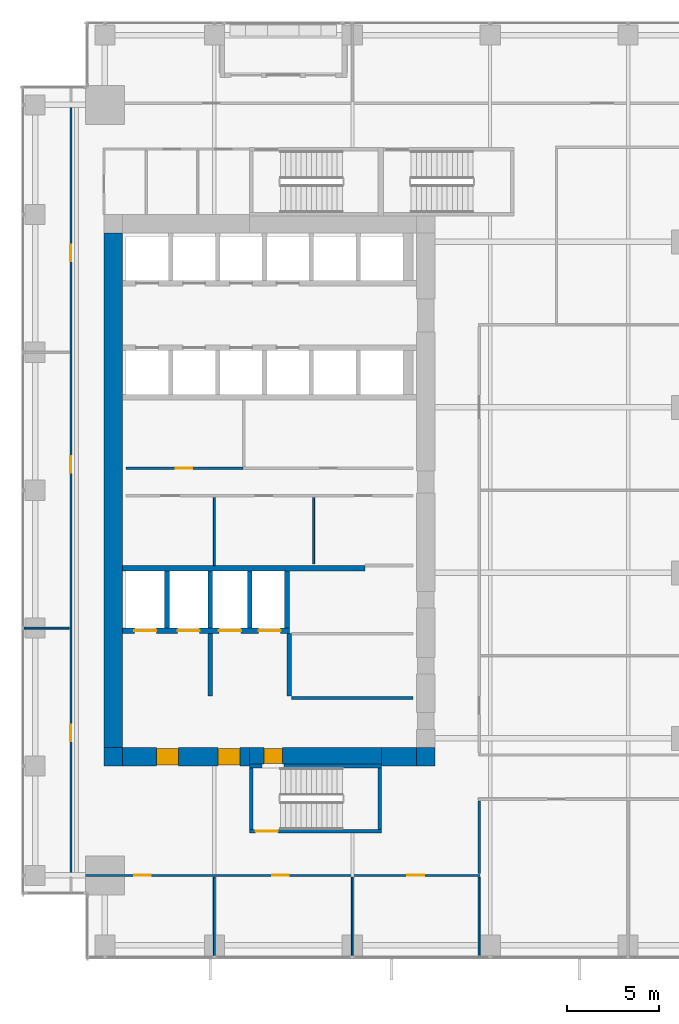
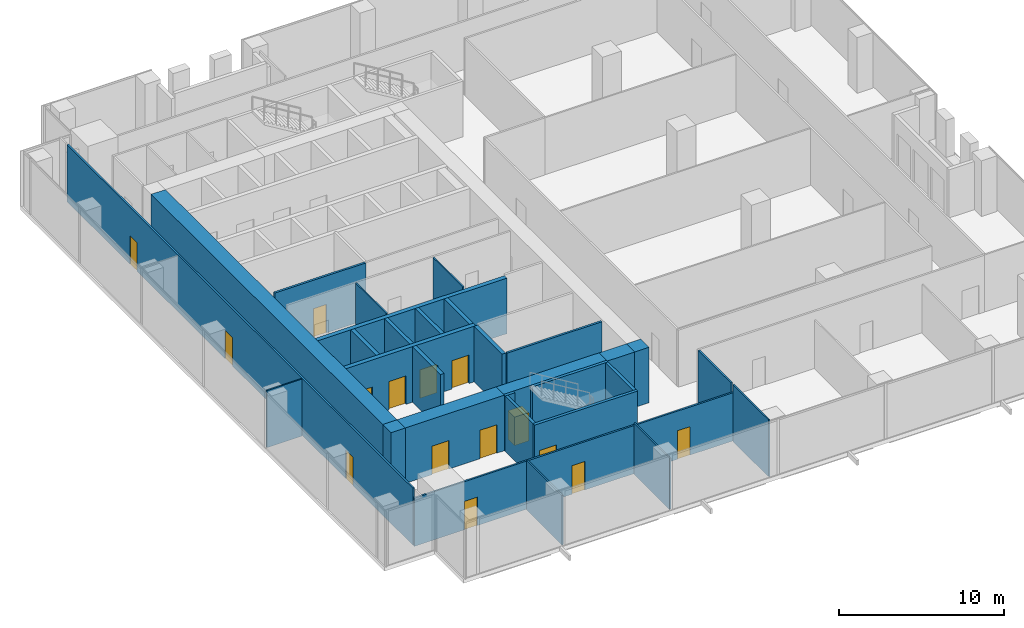
# One storey, part 28 of 34: 30 walls, 15 doors, 15 openings.
"""IFC4 building model written with IfcOpenShell, lengths in metres."""

from ifc_helpers import new_model, si_unit, direction, frame, frame_2d, origin, place, context, subcontext, project, spatial, rectangle, extrude, source, transform, mapped, material, layer, layer_set, type_object, element, fill, save


model = new_model("IFC4")

# Units and contexts
model_context = context("Model", 3, precision=1e-05, world=origin(), true_north=direction((0.0, 1.0)))
body_context = subcontext(model_context, "Body", "Model", "MODEL_VIEW")
ifc_project = project(units=[si_unit("LENGTHUNIT", "METRE"), si_unit("AREAUNIT", "SQUARE_METRE"), si_unit("VOLUMEUNIT", "CUBIC_METRE"), si_unit("PLANEANGLEUNIT", "RADIAN"), si_unit("MASSUNIT", "GRAM", prefix="KILO")], contexts=[model_context])

# Site, building, storey
site_placement = place(None, origin())
site = spatial("IfcSite", under=ifc_project, at=site_placement, CompositionType="ELEMENT")
building_placement = place(site_placement, origin())
building = spatial("IfcBuilding", under=site, at=building_placement, Name="Khomas Fold Tower", CompositionType="ELEMENT")
storey_placement = place(building_placement, frame((0.0, 0.0, 105.89990234375)))
storey = spatial("IfcBuildingStorey", under=building, at=storey_placement, Name="L22", CompositionType="ELEMENT", Elevation=105.89990234375)

# Wall, openings, doors
ifc_material_1 = material(Name="Concrete C70/85", Category="concrete")
ifc_layer_1 = layer(ifc_material_1, 1.0)
ifc_layer_set_1 = layer_set([ifc_layer_1], Name="Concrete C70/85")
wall_type_1 = type_object("IfcWallType", Name="Core wall 1000", PredefinedType="SHEAR", material=ifc_layer_set_1)
shared_shape_1 = source(origin(), body_context, "Body", "SweptSolid", [
    extrude(rectangle(XDim=6.89990234375, YDim=1.0, at=frame_2d((3.449951171875, 0.0))), origin(), (0.0, 0.0, 1.0), 4.10009765625),
])
wall_1_placement = place(storey_placement, frame((7.0, 12.5, 0.0), z_axis=(0.0, 0.0, 1.0), x_axis=(1.0, 0.0, 0.0)))
wall_1 = element("IfcWall", 1, at=wall_1_placement, inside=storey, type_object=wall_type_1, Name="Core wall CW-L-S-L21", PredefinedType="SHEAR", context=body_context, shape_type="MappedRepresentation", body=[
    mapped(shared_shape_1, transform((0.0, 0.0, 0.0))),
])
shared_shape_2 = source(origin(), body_context, "Body", "SweptSolid", [
    extrude(rectangle(XDim=1.199951171875, YDim=2.10009765625, at=frame_2d((0.60009765625, 1.050048828125))), frame((0.0, 0.510009765625, 0.0), z_axis=(0.0, -1.0, 0.0), x_axis=(1.0, 0.0, 0.0)), (0.0, 0.0, 1.0), 1.02001953125),
])
opening_1_placement = place(wall_1_placement, frame((5.199951171875, 0.0, 0.0)))
opening_1 = element("IfcOpeningElement", 2, at=opening_1_placement, cuts=wall_1, Name="Opening 0009", PredefinedType="OPENING", context=body_context, shape_type="MappedRepresentation", body=[
    mapped(shared_shape_2, transform((0.0, 0.0, 0.0))),
])
opening_2_placement = place(wall_1_placement, frame((1.85009765625, 0.0, 0.0)))
opening_2 = element("IfcOpeningElement", 3, at=opening_2_placement, cuts=wall_1, Name="Opening 0009", PredefinedType="OPENING", context=body_context, shape_type="MappedRepresentation", body=[
    mapped(shared_shape_2, transform((0.0, 0.0, 0.0))),
])
ifc_material_2 = material(Name="Steel door leaf", Category="steel")
door_type_1 = type_object("IfcDoorType", Name="Lobby door 1200x2100 right-hand", OperationType="SINGLE_SWING_RIGHT", PredefinedType="DOOR", material=ifc_material_2)
shared_shape_3 = source(origin(), body_context, "Body", "SweptSolid", [
    extrude(rectangle(XDim=1.199951171875, YDim=2.10009765625, at=frame_2d((0.60009765625, 1.050048828125))), frame((0.0, 0.449951171875, 0.0), z_axis=(0.0, -1.0, 0.0), x_axis=(1.0, 0.0, 0.0)), (0.0, 0.0, 1.0), 0.89990234375),
])
door_1_placement = place(opening_1_placement, origin())
door_1 = element("IfcDoor", 4, at=door_1_placement, inside=storey, type_object=door_type_1, Name="Lobby door", OperationType="SINGLE_SWING_RIGHT", OverallHeight=2.10009765625, OverallWidth=1.199951171875, PredefinedType="DOOR", context=body_context, shape_type="MappedRepresentation", body=[
    mapped(shared_shape_3, transform((0.0, 0.0, 0.0))),
])
fill(opening_1, door_1)
door_2_placement = place(opening_2_placement, origin())
door_2 = element("IfcDoor", 5, at=door_2_placement, inside=storey, type_object=door_type_1, Name="Lobby door", OperationType="SINGLE_SWING_RIGHT", OverallHeight=2.10009765625, OverallWidth=1.199951171875, PredefinedType="DOOR", context=body_context, shape_type="MappedRepresentation", body=[
    mapped(shared_shape_3, transform((0.0, 0.0, 0.0))),
])
fill(opening_2, door_2)

# Walls
ifc_material_3 = material(Name="Concrete C70/85", Category="concrete")
ifc_layer_2 = layer(ifc_material_3, 1.0)
ifc_layer_set_2 = layer_set([ifc_layer_2], Name="Concrete C70/85")
wall_type_2 = type_object("IfcWallType", Name="Core corner wall 1000", PredefinedType="SHEAR", material=ifc_layer_set_2)
shared_shape_4 = source(origin(), body_context, "Body", "SweptSolid", [
    extrude(rectangle(XDim=1.0, YDim=1.0, at=frame_2d((0.5, 0.0))), origin(), (0.0, 0.0, 1.0), 4.10009765625),
])
for number, where, z_axis, x_axis, name in (
    (6, (23.0, 12.5, 0.0), (0.0, 0.0, 1.0), (1.0, 0.0, 0.0), "Core wall CW-L-SE-L21"),
    (7, (6.0, 12.5, 0.0), (0.0, 0.0, 1.0), (1.0, 0.0, 0.0), "Core wall CW-L-SW-L21"),
):
    element("IfcWall", number, at=place(storey_placement, frame(where, z_axis=z_axis, x_axis=x_axis)), inside=storey, type_object=wall_type_2, Name=name, PredefinedType="SHEAR", context=body_context, shape_type="MappedRepresentation", body=[
        mapped(shared_shape_4, transform((0.0, 0.0, 0.0))),
    ])

# Wall, opening, door
ifc_material_4 = material(Name="Concrete C70/85", Category="concrete")
ifc_layer_3 = layer(ifc_material_4, 0.89990234375)
ifc_layer_set_3 = layer_set([ifc_layer_3], Name="Concrete C70/85")
wall_type_3 = type_object("IfcWallType", Name="Core wall 900", PredefinedType="SHEAR", material=ifc_layer_set_3)
shared_shape_5 = source(origin(), body_context, "Body", "SweptSolid", [
    extrude(rectangle(XDim=7.2001953125, YDim=0.89990234375, at=frame_2d((3.60009765625, 0.0))), origin(), (0.0, 0.0, 1.0), 4.10009765625),
])
wall_2_placement = place(storey_placement, frame((13.89990234375, 12.550048828125, 0.0), z_axis=(0.0, 0.0, 1.0), x_axis=(1.0, 0.0, 0.0)))
wall_2 = element("IfcWall", 8, at=wall_2_placement, inside=storey, type_object=wall_type_3, Name="Core wall CW-L-S-L21-1", PredefinedType="SHEAR", context=body_context, shape_type="MappedRepresentation", body=[
    mapped(shared_shape_5, transform((0.0, 0.0, 0.0))),
])
shared_shape_6 = source(origin(), body_context, "Body", "SweptSolid", [
    extrude(rectangle(XDim=1.0, YDim=2.10009765625, at=frame_2d((0.5, 1.050048828125))), frame((0.0, 0.4599609375, 0.0), z_axis=(0.0, -1.0, 0.0), x_axis=(1.0, 0.0, 0.0)), (0.0, 0.0, 1.0), 0.919921875),
])
opening_3_placement = place(wall_2_placement, frame((0.800048828125, 0.0, 0.0)))
opening_3 = element("IfcOpeningElement", 9, at=opening_3_placement, cuts=wall_2, Name="Opening 0010", PredefinedType="OPENING", context=body_context, shape_type="MappedRepresentation", body=[
    mapped(shared_shape_6, transform((0.0, 0.0, 0.0))),
])
ifc_material_5 = material(Name="Steel door leaf", Category="steel")
door_type_2 = type_object("IfcDoorType", Name="Stair door 1000x2100 right-hand", OperationType="SINGLE_SWING_RIGHT", PredefinedType="DOOR", material=ifc_material_5)
shared_shape_7 = source(origin(), body_context, "Body", "SweptSolid", [
    extrude(rectangle(XDim=1.0, YDim=2.10009765625, at=frame_2d((0.5, 1.050048828125))), frame((0.0, 0.39990234375, 0.0), z_axis=(0.0, -1.0, 0.0), x_axis=(1.0, 0.0, 0.0)), (0.0, 0.0, 1.0), 0.7998046875),
])
door_3_placement = place(opening_3_placement, origin())
door_3 = element("IfcDoor", 10, at=door_3_placement, inside=storey, type_object=door_type_2, Name="Stair door", OperationType="SINGLE_SWING_RIGHT", OverallHeight=2.10009765625, OverallWidth=1.0, PredefinedType="DOOR", context=body_context, shape_type="MappedRepresentation", body=[
    mapped(shared_shape_7, transform((0.0, 0.0, 0.0))),
])
fill(opening_3, door_3)

# Walls
shared_shape_8 = source(origin(), body_context, "Body", "SweptSolid", [
    extrude(rectangle(XDim=1.89990234375, YDim=1.0, at=frame_2d((0.949951171875, 0.0))), origin(), (0.0, 0.0, 1.0), 4.10009765625),
])
wall_3_placement = place(storey_placement, frame((21.10009765625, 12.5, 0.0), z_axis=(0.0, 0.0, 1.0), x_axis=(1.0, 0.0, 0.0)))
element("IfcWall", 11, at=wall_3_placement, inside=storey, type_object=wall_type_1, Name="Core wall CW-L-S-L21-2", PredefinedType="SHEAR", context=body_context, shape_type="MappedRepresentation", body=[
    mapped(shared_shape_8, transform((0.0, 0.0, 0.0))),
])
shared_shape_9 = source(origin(), body_context, "Body", "SweptSolid", [
    extrude(rectangle(XDim=28.0, YDim=1.0, at=frame_2d((14.0, 0.0))), origin(), (0.0, 0.0, 1.0), 4.10009765625),
])
wall_4_placement = place(storey_placement, frame((6.5, 13.0, 0.0), z_axis=(0.0, 0.0, 1.0), x_axis=(0.0, 1.0, 0.0)))
element("IfcWall", 12, at=wall_4_placement, inside=storey, type_object=wall_type_1, Name="Core wall CW-L-W-L21", PredefinedType="SHEAR", context=body_context, shape_type="MappedRepresentation", body=[
    mapped(shared_shape_9, transform((0.0, 0.0, 0.0))),
])
ifc_material_6 = material(Name="Concrete C50/60", Category="concrete")
ifc_layer_4 = layer(ifc_material_6, 0.199951171875)
ifc_layer_set_4 = layer_set([ifc_layer_4], Name="Concrete C50/60")
wall_type_4 = type_object("IfcWallType", Name="Stair wall 200", PredefinedType="SHEAR", material=ifc_layer_set_4)
shared_shape_10 = source(origin(), body_context, "Body", "SweptSolid", [
    extrude(rectangle(XDim=0.7001953125, YDim=0.199951171875, at=frame_2d((0.35009765625, 0.0))), origin(), (0.0, 0.0, 1.0), 4.10009765625),
])
wall_5_placement = place(storey_placement, frame((13.89990234375, 12.0, 0.0), z_axis=(0.0, 0.0, 1.0), x_axis=(1.0, 0.0, 0.0)))
element("IfcWall", 13, at=wall_5_placement, inside=storey, type_object=wall_type_4, Name="Stair wall SW-ST2-N", PredefinedType="SHEAR", context=body_context, shape_type="MappedRepresentation", body=[
    mapped(shared_shape_10, transform((0.0, 0.0, 0.0))),
])
shared_shape_11 = source(origin(), body_context, "Body", "SweptSolid", [
    extrude(rectangle(XDim=5.300048828125, YDim=0.199951171875, at=frame_2d((2.64990234375, 0.0))), origin(), (0.0, 0.0, 1.0), 4.10009765625),
])
wall_6_placement = place(storey_placement, frame((15.800048828125, 12.0, 0.0), z_axis=(0.0, 0.0, 1.0), x_axis=(1.0, 0.0, 0.0)))
element("IfcWall", 14, at=wall_6_placement, inside=storey, type_object=wall_type_4, Name="Stair wall SW-ST2-NB", PredefinedType="SHEAR", context=body_context, shape_type="MappedRepresentation", body=[
    mapped(shared_shape_11, transform((0.0, 0.0, 0.0))),
])

# Wall, opening, door
shared_shape_12 = source(origin(), body_context, "Body", "SweptSolid", [
    extrude(rectangle(XDim=7.2001953125, YDim=0.199951171875, at=frame_2d((3.60009765625, 0.0))), origin(), (0.0, 0.0, 1.0), 4.10009765625),
])
wall_7_placement = place(storey_placement, frame((13.89990234375, 8.449951171875, 0.0), z_axis=(0.0, 0.0, 1.0), x_axis=(1.0, 0.0, 0.0)))
wall_7 = element("IfcWall", 15, at=wall_7_placement, inside=storey, type_object=wall_type_4, Name="Stair wall SW-ST2-S", PredefinedType="SHEAR", context=body_context, shape_type="MappedRepresentation", body=[
    mapped(shared_shape_12, transform((0.0, 0.0, 0.0))),
])
shared_shape_13 = source(origin(), body_context, "Body", "SweptSolid", [
    extrude(rectangle(XDim=1.199951171875, YDim=2.10009765625, at=frame_2d((0.60009765625, 1.050048828125))), frame((0.0, 0.10986328125, 0.0), z_axis=(0.0, -1.0, 0.0), x_axis=(1.0, 0.0, 0.0)), (0.0, 0.0, 1.0), 0.219970703125),
])
opening_4_placement = place(wall_7_placement, frame((0.35009765625, 0.0, 0.0)))
opening_4 = element("IfcOpeningElement", 16, at=opening_4_placement, cuts=wall_7, Name="Opening SD-ST2", PredefinedType="OPENING", context=body_context, shape_type="MappedRepresentation", body=[
    mapped(shared_shape_13, transform((0.0, 0.0, 0.0))),
])
ifc_material_7 = material(Name="Steel door leaf", Category="steel")
door_type_3 = type_object("IfcDoorType", Name="Stair door 1200x2100 right-hand", OperationType="SINGLE_SWING_RIGHT", PredefinedType="DOOR", material=ifc_material_7)
shared_shape_14 = source(origin(), body_context, "Body", "SweptSolid", [
    extrude(rectangle(XDim=1.199951171875, YDim=2.10009765625, at=frame_2d((0.60009765625, 1.050048828125))), frame((0.0, 0.02490234375, 0.0), z_axis=(0.0, -1.0, 0.0), x_axis=(1.0, 0.0, 0.0)), (0.0, 0.0, 1.0), 0.050048828125),
])
door_4_placement = place(opening_4_placement, origin())
door_4 = element("IfcDoor", 17, at=door_4_placement, inside=storey, type_object=door_type_3, Name="Stair door", OperationType="SINGLE_SWING_RIGHT", OverallHeight=2.10009765625, OverallWidth=1.199951171875, PredefinedType="DOOR", context=body_context, shape_type="MappedRepresentation", body=[
    mapped(shared_shape_14, transform((0.0, 0.0, 0.0))),
])
fill(opening_4, door_4)

# Walls
shared_shape_15 = source(origin(), body_context, "Body", "SweptSolid", [
    extrude(rectangle(XDim=3.349853515625, YDim=0.199951171875, at=frame_2d((1.6748046875, 0.0))), origin(), (0.0, 0.0, 1.0), 4.10009765625),
])
for number, where, z_axis, x_axis, name in (
    (18, (21.0, 8.550048828125, 0.0), (0.0, 0.0, 1.0), (0.0, 1.0, 0.0), "Stair wall SW-ST2-E"),
    (19, (14.0, 8.550048828125, 0.0), (0.0, 0.0, 1.0), (0.0, 1.0, 0.0), "Stair wall SW-ST2-W"),
):
    element("IfcWall", number, at=place(storey_placement, frame(where, z_axis=z_axis, x_axis=x_axis)), inside=storey, type_object=wall_type_4, Name=name, PredefinedType="SHEAR", context=body_context, shape_type="MappedRepresentation", body=[
        mapped(shared_shape_15, transform((0.0, 0.0, 0.0))),
    ])
ifc_material_8 = material(Name="Concrete C50/60", Category="concrete")
ifc_layer_5 = layer(ifc_material_8, 0.300048828125)
ifc_layer_set_5 = layer_set([ifc_layer_5], Name="Concrete C50/60")
wall_type_5 = type_object("IfcWallType", Name="Shaft wall 300", PredefinedType="STANDARD", material=ifc_layer_set_5)
shared_shape_16 = source(origin(), body_context, "Body", "SweptSolid", [
    extrude(rectangle(XDim=13.199951171875, YDim=0.300048828125, at=frame_2d((6.60009765625, 0.0))), origin(), (0.0, 0.0, 1.0), 4.10009765625),
])
wall_8_placement = place(storey_placement, frame((7.0, 22.75, 0.0), z_axis=(0.0, 0.0, 1.0), x_axis=(1.0, 0.0, 0.0)))
element("IfcWall", 20, at=wall_8_placement, inside=storey, type_object=wall_type_5, Name="Core wall SW-FS-B", PredefinedType="STANDARD", context=body_context, shape_type="MappedRepresentation", body=[
    mapped(shared_shape_16, transform((0.0, 0.0, 0.0))),
])

# Wall, openings, doors
shared_shape_17 = source(origin(), body_context, "Body", "SweptSolid", [
    extrude(rectangle(XDim=9.074951171875, YDim=0.300048828125, at=frame_2d((4.53759765625, 0.0))), origin(), (0.0, 0.0, 1.0), 4.10009765625),
])
wall_9_placement = place(storey_placement, frame((7.0, 19.35009765625, 0.0), z_axis=(0.0, 0.0, 1.0), x_axis=(1.0, 0.0, 0.0)))
wall_9 = element("IfcWall", 21, at=wall_9_placement, inside=storey, type_object=wall_type_5, Name="Core wall SW-FS-F", PredefinedType="STANDARD", context=body_context, shape_type="MappedRepresentation", body=[
    mapped(shared_shape_17, transform((0.0, 0.0, 0.0))),
])
shared_shape_18 = source(origin(), body_context, "Body", "SweptSolid", [
    extrude(rectangle(XDim=1.199951171875, YDim=2.10009765625, at=frame_2d((0.60009765625, 1.050048828125))), frame((0.0, 0.159912109375, 0.0), z_axis=(0.0, -1.0, 0.0), x_axis=(1.0, 0.0, 0.0)), (0.0, 0.0, 1.0), 0.320068359375),
])
opening_5_placement = place(wall_9_placement, frame((0.64990234375, 0.0, 0.0)))
opening_5 = element("IfcOpeningElement", 22, at=opening_5_placement, cuts=wall_9, Name="Opening LD-SV1", PredefinedType="OPENING", context=body_context, shape_type="MappedRepresentation", body=[
    mapped(shared_shape_18, transform((0.0, 0.0, 0.0))),
])
opening_6_placement = place(wall_9_placement, frame((3.0, 0.0, 0.0)))
opening_6 = element("IfcOpeningElement", 23, at=opening_6_placement, cuts=wall_9, Name="Opening LD-SV2", PredefinedType="OPENING", context=body_context, shape_type="MappedRepresentation", body=[
    mapped(shared_shape_18, transform((0.0, 0.0, 0.0))),
])
opening_7_placement = place(wall_9_placement, frame((5.25, 0.0, 0.0)))
opening_7 = element("IfcOpeningElement", 24, at=opening_7_placement, cuts=wall_9, Name="Opening LD-FF1", PredefinedType="OPENING", context=body_context, shape_type="MappedRepresentation", body=[
    mapped(shared_shape_18, transform((0.0, 0.0, 0.0))),
])
opening_8_placement = place(wall_9_placement, frame((7.39990234375, 0.0, 0.0)))
opening_8 = element("IfcOpeningElement", 25, at=opening_8_placement, cuts=wall_9, Name="Opening LD-FF2", PredefinedType="OPENING", context=body_context, shape_type="MappedRepresentation", body=[
    mapped(shared_shape_18, transform((0.0, 0.0, 0.0))),
])
ifc_material_9 = material(Name="Steel door leaf", Category="steel")
door_type_4 = type_object("IfcDoorType", Name="Landing door 1200x2100", OperationType="DOUBLE_DOOR_SLIDING", PredefinedType="DOOR", material=ifc_material_9)
door_5_placement = place(opening_5_placement, origin())
door_5 = element("IfcDoor", 26, at=door_5_placement, inside=storey, type_object=door_type_4, Name="Lift landing door", OperationType="DOUBLE_DOOR_SLIDING", OverallHeight=2.10009765625, OverallWidth=1.199951171875, PredefinedType="DOOR", context=body_context, shape_type="MappedRepresentation", body=[
    mapped(shared_shape_14, transform((0.0, 0.0, 0.0))),
])
fill(opening_5, door_5)
door_6_placement = place(opening_6_placement, origin())
door_6 = element("IfcDoor", 27, at=door_6_placement, inside=storey, type_object=door_type_4, Name="Lift landing door", OperationType="DOUBLE_DOOR_SLIDING", OverallHeight=2.10009765625, OverallWidth=1.199951171875, PredefinedType="DOOR", context=body_context, shape_type="MappedRepresentation", body=[
    mapped(shared_shape_14, transform((0.0, 0.0, 0.0))),
])
fill(opening_6, door_6)
door_7_placement = place(opening_7_placement, origin())
door_7 = element("IfcDoor", 28, at=door_7_placement, inside=storey, type_object=door_type_4, Name="Lift landing door", OperationType="DOUBLE_DOOR_SLIDING", OverallHeight=2.10009765625, OverallWidth=1.199951171875, PredefinedType="DOOR", context=body_context, shape_type="MappedRepresentation", body=[
    mapped(shared_shape_14, transform((0.0, 0.0, 0.0))),
])
fill(opening_7, door_7)
door_8_placement = place(opening_8_placement, origin())
door_8 = element("IfcDoor", 29, at=door_8_placement, inside=storey, type_object=door_type_4, Name="Lift landing door", OperationType="DOUBLE_DOOR_SLIDING", OverallHeight=2.10009765625, OverallWidth=1.199951171875, PredefinedType="DOOR", context=body_context, shape_type="MappedRepresentation", body=[
    mapped(shared_shape_14, transform((0.0, 0.0, 0.0))),
])
fill(opening_8, door_8)

# Walls
ifc_material_10 = material(Name="Concrete C50/60", Category="concrete")
ifc_layer_6 = layer(ifc_material_10, 0.25)
ifc_layer_set_6 = layer_set([ifc_layer_6], Name="Concrete C50/60")
wall_type_6 = type_object("IfcWallType", Name="Shaft wall 250", PredefinedType="STANDARD", material=ifc_layer_set_6)
shared_shape_19 = source(origin(), body_context, "Body", "SweptSolid", [
    extrude(rectangle(XDim=3.10009765625, YDim=0.25, at=frame_2d((1.550048828125, 0.0))), origin(), (0.0, 0.0, 1.0), 4.10009765625),
])
for number, where, z_axis, x_axis, name in (
    (30, (9.425048828125, 19.5, 0.0), (0.0, 0.0, 1.0), (0.0, 1.0, 0.0), "Core wall SW-FS-P1"),
    (31, (11.77490234375, 19.5, 0.0), (0.0, 0.0, 1.0), (0.0, 1.0, 0.0), "Core wall SW-FS-P2"),
    (32, (13.925048828125, 19.5, 0.0), (0.0, 0.0, 1.0), (0.0, 1.0, 0.0), "Core wall SW-FS-P3"),
    (33, (15.949951171875, 19.5, 0.0), (0.0, 0.0, 1.0), (0.0, 1.0, 0.0), "Core wall SW-FS-PE"),
):
    element("IfcWall", number, at=place(storey_placement, frame(where, z_axis=z_axis, x_axis=x_axis)), inside=storey, type_object=wall_type_6, Name=name, PredefinedType="STANDARD", context=body_context, shape_type="MappedRepresentation", body=[
        mapped(shared_shape_19, transform((0.0, 0.0, 0.0))),
    ])
ifc_material_11 = material(Name="Concrete C50/60", Category="concrete")
ifc_layer_7 = layer(ifc_material_11, 0.25)
ifc_layer_set_7 = layer_set([ifc_layer_7], Name="Concrete C50/60")
wall_type_7 = type_object("IfcWallType", Name="Lobby wall 250", PredefinedType="STANDARD", material=ifc_layer_set_7)
shared_shape_20 = source(origin(), body_context, "Body", "SweptSolid", [
    extrude(rectangle(XDim=3.39990234375, YDim=0.25, at=frame_2d((1.699951171875, 0.0))), origin(), (0.0, 0.0, 1.0), 4.10009765625),
])
for number, where, z_axis, x_axis, name in (
    (34, (16.074951171875, 15.800048828125, 0.0), (0.0, 0.0, 1.0), (0.0, 1.0, 0.0), "Core wall SW-FS-LOB-E"),
    (35, (11.77490234375, 15.800048828125, 0.0), (0.0, 0.0, 1.0), (0.0, 1.0, 0.0), "Core wall SW-FS-SEP"),
):
    element("IfcWall", number, at=place(storey_placement, frame(where, z_axis=z_axis, x_axis=x_axis)), inside=storey, type_object=wall_type_7, Name=name, PredefinedType="STANDARD", context=body_context, shape_type="MappedRepresentation", body=[
        mapped(shared_shape_20, transform((0.0, 0.0, 0.0))),
    ])
ifc_material_12 = material(Name="Plasterboard partition")
ifc_layer_8 = layer(ifc_material_12, 0.10009765625)
ifc_layer_set_8 = layer_set([ifc_layer_8], Name="Plasterboard partition")
wall_type_8 = type_object("IfcWallType", Name="Partition PW1 100", PredefinedType="PARTITIONING", material=ifc_layer_set_8)
shared_shape_21 = source(origin(), body_context, "Body", "SweptSolid", [
    extrude(rectangle(XDim=4.300048828125, YDim=0.10009765625, at=frame_2d((2.14990234375, 0.0))), origin(), (0.0, 0.0, 1.0), 3.77001953125),
])
wall_10_placement = place(storey_placement, frame((19.5, 1.64990234375, 0.0), z_axis=(0.0, 0.0, 1.0), x_axis=(0.0, 1.0, 0.0)))
element("IfcWall", 36, at=wall_10_placement, inside=storey, type_object=wall_type_8, Name="Partition", PredefinedType="PARTITIONING", context=body_context, shape_type="MappedRepresentation", body=[
    mapped(shared_shape_21, transform((0.0, 0.0, 0.0))),
])

# Wall, openings, doors
ifc_material_13 = material(Name="Plasterboard partition")
ifc_layer_9 = layer(ifc_material_13, 0.125)
ifc_layer_set_9 = layer_set([ifc_layer_9], Name="Plasterboard partition")
wall_type_9 = type_object("IfcWallType", Name="Partition PW2 125", PredefinedType="PARTITIONING", material=ifc_layer_set_9)
shared_shape_22 = source(origin(), body_context, "Body", "SweptSolid", [
    extrude(rectangle(XDim=22.300048828125, YDim=0.125, at=frame_2d((11.14990234375, 0.0))), origin(), (0.0, 0.0, 1.0), 3.550048828125),
])
wall_11_placement = place(storey_placement, frame((4.14990234375, 6.050048828125, 0.0), z_axis=(0.0, 0.0, 1.0), x_axis=(1.0, 0.0, 0.0)))
wall_11 = element("IfcWall", 37, at=wall_11_placement, inside=storey, type_object=wall_type_9, Name="Partition", PredefinedType="PARTITIONING", context=body_context, shape_type="MappedRepresentation", body=[
    mapped(shared_shape_22, transform((0.0, 0.0, 0.0))),
])
shared_shape_23 = source(origin(), body_context, "Body", "SweptSolid", [
    extrude(rectangle(XDim=0.89990234375, YDim=2.10009765625, at=frame_2d((0.449951171875, 1.050048828125))), frame((0.0, 0.072509765625, 0.0), z_axis=(0.0, -1.0, 0.0), x_axis=(1.0, 0.0, 0.0)), (0.0, 0.0, 1.0), 0.14501953125),
])
opening_9_placement = place(wall_11_placement, frame((3.5, 0.0, 0.0)))
opening_9 = element("IfcOpeningElement", 38, at=opening_9_placement, cuts=wall_11, Name="Opening 0007", PredefinedType="OPENING", context=body_context, shape_type="MappedRepresentation", body=[
    mapped(shared_shape_23, transform((0.0, 0.0, 0.0))),
])
opening_10_placement = place(wall_11_placement, frame((11.0, 0.0, 0.0)))
opening_10 = element("IfcOpeningElement", 39, at=opening_10_placement, cuts=wall_11, Name="Opening 0007", PredefinedType="OPENING", context=body_context, shape_type="MappedRepresentation", body=[
    mapped(shared_shape_23, transform((0.0, 0.0, 0.0))),
])
opening_11_placement = place(wall_11_placement, frame((18.35009765625, 0.0, 0.0)))
opening_11 = element("IfcOpeningElement", 40, at=opening_11_placement, cuts=wall_11, Name="Opening 0007", PredefinedType="OPENING", context=body_context, shape_type="MappedRepresentation", body=[
    mapped(shared_shape_23, transform((0.0, 0.0, 0.0))),
])
ifc_material_14 = material(Name="Timber door leaf", Category="wood")
door_type_5 = type_object("IfcDoorType", Name="Door 900x2100 left-hand", OperationType="SINGLE_SWING_LEFT", PredefinedType="DOOR", material=ifc_material_14)
shared_shape_24 = source(origin(), body_context, "Body", "SweptSolid", [
    extrude(rectangle(XDim=0.89990234375, YDim=2.10009765625, at=frame_2d((0.449951171875, 1.050048828125))), frame((0.0, 0.02490234375, 0.0), z_axis=(0.0, -1.0, 0.0), x_axis=(1.0, 0.0, 0.0)), (0.0, 0.0, 1.0), 0.050048828125),
])
door_9_placement = place(opening_9_placement, origin())
door_9 = element("IfcDoor", 41, at=door_9_placement, inside=storey, type_object=door_type_5, Name="Door", OperationType="SINGLE_SWING_LEFT", OverallHeight=2.10009765625, OverallWidth=0.89990234375, PredefinedType="DOOR", context=body_context, shape_type="MappedRepresentation", body=[
    mapped(shared_shape_24, transform((0.0, 0.0, 0.0))),
])
fill(opening_9, door_9)
door_10_placement = place(opening_10_placement, origin())
door_10 = element("IfcDoor", 42, at=door_10_placement, inside=storey, type_object=door_type_5, Name="Door", OperationType="SINGLE_SWING_LEFT", OverallHeight=2.10009765625, OverallWidth=0.89990234375, PredefinedType="DOOR", context=body_context, shape_type="MappedRepresentation", body=[
    mapped(shared_shape_24, transform((0.0, 0.0, 0.0))),
])
fill(opening_10, door_10)
door_11_placement = place(opening_11_placement, origin())
door_11 = element("IfcDoor", 43, at=door_11_placement, inside=storey, type_object=door_type_5, Name="Door", OperationType="SINGLE_SWING_LEFT", OverallHeight=2.10009765625, OverallWidth=0.89990234375, PredefinedType="DOOR", context=body_context, shape_type="MappedRepresentation", body=[
    mapped(shared_shape_24, transform((0.0, 0.0, 0.0))),
])
fill(opening_11, door_11)

# Walls
shared_shape_25 = source(origin(), body_context, "Body", "SweptSolid", [
    extrude(rectangle(XDim=4.300048828125, YDim=0.10009765625, at=frame_2d((2.14990234375, 0.0))), origin(), (0.0, 0.0, 1.0), 3.650146484375),
])
wall_12_placement = place(storey_placement, frame((12.0, 1.64990234375, 0.0), z_axis=(0.0, 0.0, 1.0), x_axis=(0.0, 1.0, 0.0)))
element("IfcWall", 44, at=wall_12_placement, inside=storey, type_object=wall_type_8, Name="Partition", PredefinedType="PARTITIONING", context=body_context, shape_type="MappedRepresentation", body=[
    mapped(shared_shape_25, transform((0.0, 0.0, 0.0))),
])
shared_shape_26 = source(origin(), body_context, "Body", "SweptSolid", [
    extrude(rectangle(XDim=4.300048828125, YDim=0.10009765625, at=frame_2d((2.14990234375, 0.0))), origin(), (0.0, 0.0, 1.0), 4.2001953125),
])
wall_13_placement = place(storey_placement, frame((26.39990234375, 1.64990234375, 0.0), z_axis=(0.0, 0.0, 1.0), x_axis=(0.0, 1.0, 0.0)))
element("IfcWall", 45, at=wall_13_placement, inside=storey, type_object=wall_type_8, Name="Partition", PredefinedType="PARTITIONING", context=body_context, shape_type="MappedRepresentation", body=[
    mapped(shared_shape_26, transform((0.0, 0.0, 0.0))),
])

# Wall, openings, doors
shared_shape_27 = source(origin(), body_context, "Body", "SweptSolid", [
    extrude(rectangle(XDim=41.800048828125, YDim=0.125, at=frame_2d((20.89990234375, 0.0))), origin(), (0.0, 0.0, 1.0), 4.2001953125),
])
wall_14_placement = place(storey_placement, frame((4.199951171875, 6.14990234375, 0.0), z_axis=(0.0, 0.0, 1.0), x_axis=(0.0, 1.0, 0.0)))
wall_14 = element("IfcWall", 46, at=wall_14_placement, inside=storey, type_object=wall_type_9, Name="Partition", PredefinedType="PARTITIONING", context=body_context, shape_type="MappedRepresentation", body=[
    mapped(shared_shape_27, transform((0.0, 0.0, 0.0))),
])
opening_12_placement = place(wall_14_placement, frame((7.199951171875, 0.0, 0.0)))
opening_12 = element("IfcOpeningElement", 47, at=opening_12_placement, cuts=wall_14, Name="Opening 0008", PredefinedType="OPENING", context=body_context, shape_type="MappedRepresentation", body=[
    mapped(shared_shape_23, transform((0.0, 0.0, 0.0))),
])
opening_13_placement = place(wall_14_placement, frame((21.800048828125, 0.0, 0.0)))
opening_13 = element("IfcOpeningElement", 48, at=opening_13_placement, cuts=wall_14, Name="Opening 0007", PredefinedType="OPENING", context=body_context, shape_type="MappedRepresentation", body=[
    mapped(shared_shape_23, transform((0.0, 0.0, 0.0))),
])
opening_14_placement = place(wall_14_placement, frame((33.300048828125, 0.0, 0.0)))
opening_14 = element("IfcOpeningElement", 49, at=opening_14_placement, cuts=wall_14, Name="Opening 0008", PredefinedType="OPENING", context=body_context, shape_type="MappedRepresentation", body=[
    mapped(shared_shape_23, transform((0.0, 0.0, 0.0))),
])
ifc_material_15 = material(Name="Timber door leaf", Category="wood")
door_type_6 = type_object("IfcDoorType", Name="Door 900x2100 right-hand", OperationType="SINGLE_SWING_RIGHT", PredefinedType="DOOR", material=ifc_material_15)
door_12_placement = place(opening_12_placement, origin())
door_12 = element("IfcDoor", 50, at=door_12_placement, inside=storey, type_object=door_type_6, Name="Door", OperationType="SINGLE_SWING_RIGHT", OverallHeight=2.10009765625, OverallWidth=0.89990234375, PredefinedType="DOOR", context=body_context, shape_type="MappedRepresentation", body=[
    mapped(shared_shape_24, transform((0.0, 0.0, 0.0))),
])
fill(opening_12, door_12)
door_13_placement = place(opening_13_placement, origin())
door_13 = element("IfcDoor", 51, at=door_13_placement, inside=storey, type_object=door_type_5, Name="Door", OperationType="SINGLE_SWING_LEFT", OverallHeight=2.10009765625, OverallWidth=0.89990234375, PredefinedType="DOOR", context=body_context, shape_type="MappedRepresentation", body=[
    mapped(shared_shape_24, transform((0.0, 0.0, 0.0))),
])
fill(opening_13, door_13)
door_14_placement = place(opening_14_placement, origin())
door_14 = element("IfcDoor", 52, at=door_14_placement, inside=storey, type_object=door_type_6, Name="Door", OperationType="SINGLE_SWING_RIGHT", OverallHeight=2.10009765625, OverallWidth=0.89990234375, PredefinedType="DOOR", context=body_context, shape_type="MappedRepresentation", body=[
    mapped(shared_shape_24, transform((0.0, 0.0, 0.0))),
])
fill(opening_14, door_14)

# Walls
shared_shape_28 = source(origin(), body_context, "Body", "SweptSolid", [
    extrude(rectangle(XDim=3.9501953125, YDim=0.125, at=frame_2d((1.97509765625, 0.0))), origin(), (0.0, 0.0, 1.0), 4.2001953125),
])
wall_15_placement = place(storey_placement, frame((26.39990234375, 6.14990234375, 0.0), z_axis=(0.0, 0.0, 1.0), x_axis=(0.0, 1.0, 0.0)))
element("IfcWall", 53, at=wall_15_placement, inside=storey, type_object=wall_type_9, Name="Partition", PredefinedType="PARTITIONING", context=body_context, shape_type="MappedRepresentation", body=[
    mapped(shared_shape_28, transform((0.0, 0.0, 0.0))),
])
ifc_material_16 = material(Name="Plasterboard fire partition")
ifc_layer_10 = layer(ifc_material_16, 0.14990234375)
ifc_layer_set_10 = layer_set([ifc_layer_10], Name="Plasterboard fire partition")
wall_type_10 = type_object("IfcWallType", Name="Plant room wall PW3 150", PredefinedType="PARTITIONING", material=ifc_layer_set_10)
shared_shape_29 = source(origin(), body_context, "Body", "SweptSolid", [
    extrude(rectangle(XDim=6.60009765625, YDim=0.14990234375, at=frame_2d((3.300048828125, 0.0))), origin(), (0.0, 0.0, 1.0), 4.2001953125),
])
wall_16_placement = place(storey_placement, frame((16.199951171875, 15.699951171875, 0.0), z_axis=(0.0, 0.0, 1.0), x_axis=(1.0, 0.0, 0.0)))
element("IfcWall", 54, at=wall_16_placement, inside=storey, type_object=wall_type_10, Name="Plant room wall", PredefinedType="PARTITIONING", context=body_context, shape_type="MappedRepresentation", body=[
    mapped(shared_shape_29, transform((0.0, 0.0, 0.0))),
])
shared_shape_30 = source(origin(), body_context, "Body", "SweptSolid", [
    extrude(rectangle(XDim=2.4501953125, YDim=0.10009765625, at=frame_2d((1.22509765625, 0.0))), origin(), (0.0, 0.0, 1.0), 4.2001953125),
])
wall_17_placement = place(storey_placement, frame((1.64990234375, 19.5, 0.0), z_axis=(0.0, 0.0, 1.0), x_axis=(1.0, 0.0, 0.0)))
element("IfcWall", 55, at=wall_17_placement, inside=storey, type_object=wall_type_8, Name="Partition", PredefinedType="PARTITIONING", context=body_context, shape_type="MappedRepresentation", body=[
    mapped(shared_shape_30, transform((0.0, 0.0, 0.0))),
])
shared_shape_31 = source(origin(), body_context, "Body", "SweptSolid", [
    extrude(rectangle(XDim=3.7001953125, YDim=0.10009765625, at=frame_2d((1.85009765625, 0.0))), origin(), (0.0, 0.0, 1.0), 4.2001953125),
])
wall_18_placement = place(storey_placement, frame((12.0, 22.89990234375, 0.0), z_axis=(0.0, 0.0, 1.0), x_axis=(0.0, 1.0, 0.0)))
element("IfcWall", 56, at=wall_18_placement, inside=storey, type_object=wall_type_8, Name="Partition", PredefinedType="PARTITIONING", context=body_context, shape_type="MappedRepresentation", body=[
    mapped(shared_shape_31, transform((0.0, 0.0, 0.0))),
])
shared_shape_32 = source(origin(), body_context, "Body", "SweptSolid", [
    extrude(rectangle(XDim=3.60009765625, YDim=0.10009765625, at=frame_2d((1.800048828125, 0.0))), origin(), (0.0, 0.0, 1.0), 4.2001953125),
])
wall_19_placement = place(storey_placement, frame((17.39990234375, 23.0, 0.0), z_axis=(0.0, 0.0, 1.0), x_axis=(0.0, 1.0, 0.0)))
element("IfcWall", 57, at=wall_19_placement, inside=storey, type_object=wall_type_8, Name="Partition", PredefinedType="PARTITIONING", context=body_context, shape_type="MappedRepresentation", body=[
    mapped(shared_shape_32, transform((0.0, 0.0, 0.0))),
])

# Wall, opening, door
shared_shape_33 = source(origin(), body_context, "Body", "SweptSolid", [
    extrude(rectangle(XDim=6.35009765625, YDim=0.14990234375, at=frame_2d((3.175048828125, 0.0))), origin(), (0.0, 0.0, 1.0), 4.2001953125),
])
wall_20_placement = place(storey_placement, frame((7.199951171875, 28.199951171875, 0.0), z_axis=(0.0, 0.0, 1.0), x_axis=(1.0, 0.0, 0.0)))
wall_20 = element("IfcWall", 58, at=wall_20_placement, inside=storey, type_object=wall_type_10, Name="Plant room wall", PredefinedType="PARTITIONING", context=body_context, shape_type="MappedRepresentation", body=[
    mapped(shared_shape_33, transform((0.0, 0.0, 0.0))),
])
shared_shape_34 = source(origin(), body_context, "Body", "SweptSolid", [
    extrude(rectangle(XDim=0.89990234375, YDim=2.10009765625, at=frame_2d((0.449951171875, 1.050048828125))), frame((0.0, 0.0849609375, 0.0), z_axis=(0.0, -1.0, 0.0), x_axis=(1.0, 0.0, 0.0)), (0.0, 0.0, 1.0), 0.169921875),
])
opening_15_placement = place(wall_20_placement, frame((2.699951171875, 0.0, 0.0)))
opening_15 = element("IfcOpeningElement", 59, at=opening_15_placement, cuts=wall_20, Name="Opening 0003", PredefinedType="OPENING", context=body_context, shape_type="MappedRepresentation", body=[
    mapped(shared_shape_34, transform((0.0, 0.0, 0.0))),
])
ifc_material_17 = material(Name="Steel door leaf", Category="steel")
door_type_7 = type_object("IfcDoorType", Name="Plant room door 900x2100 right-hand", OperationType="SINGLE_SWING_RIGHT", PredefinedType="DOOR", material=ifc_material_17)
door_15_placement = place(opening_15_placement, origin())
door_15 = element("IfcDoor", 60, at=door_15_placement, inside=storey, type_object=door_type_7, Name="Plant room door", OperationType="SINGLE_SWING_RIGHT", OverallHeight=2.10009765625, OverallWidth=0.89990234375, PredefinedType="DOOR", context=body_context, shape_type="MappedRepresentation", body=[
    mapped(shared_shape_24, transform((0.0, 0.0, 0.0))),
])
fill(opening_15, door_15)

save(model, "model.ifc")
